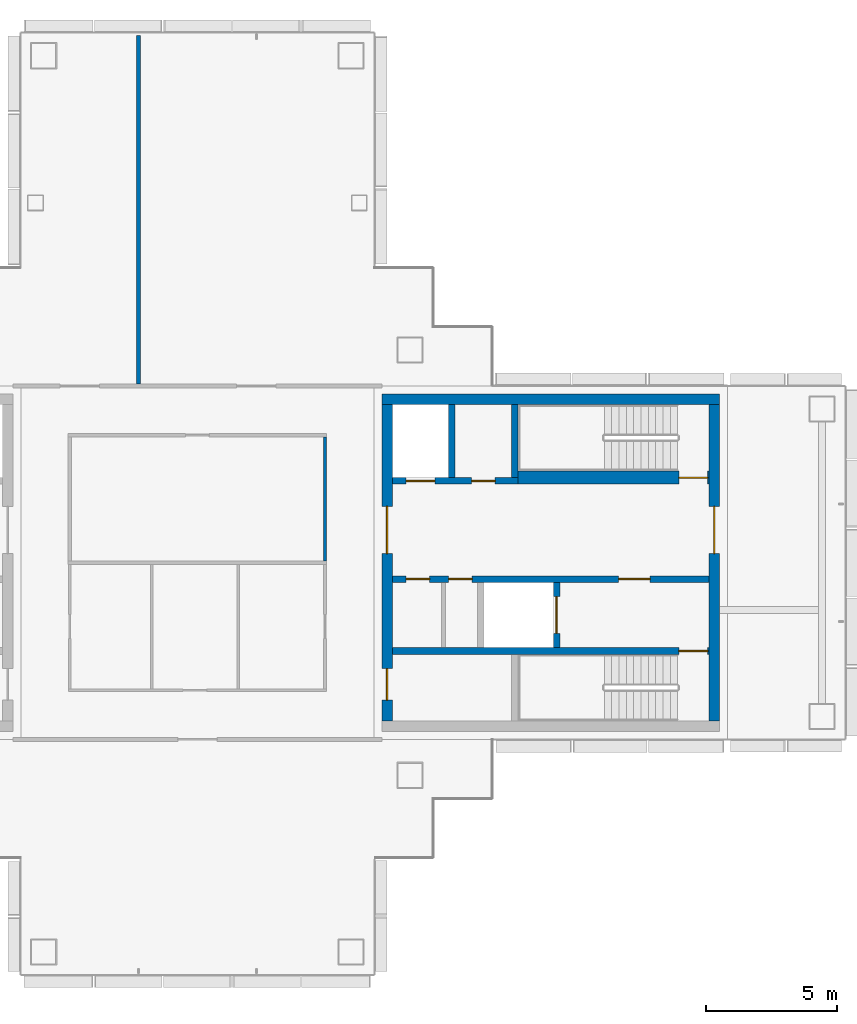
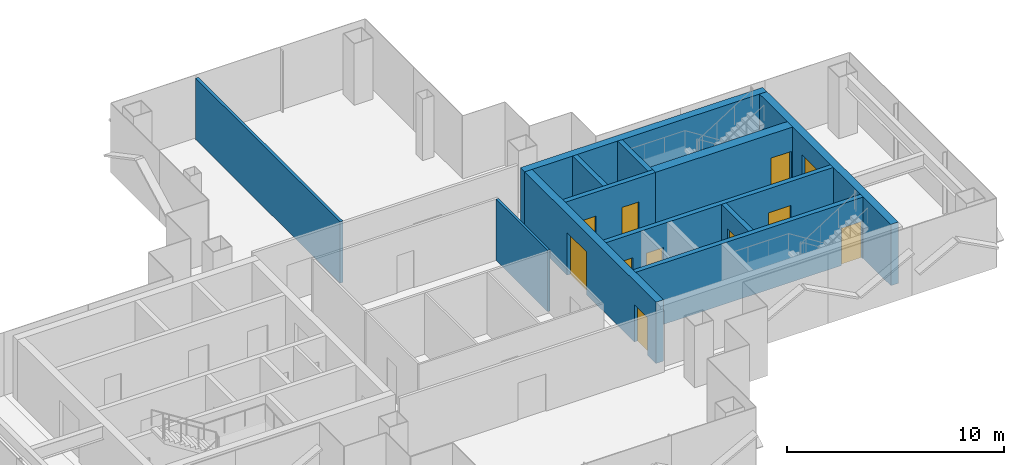
# One storey, part 12 of 17: 12 walls, 11 doors, 11 openings.
"""IFC4 building model written with IfcOpenShell, lengths in metres."""

from ifc_helpers import new_model, si_unit, direction, frame, frame_2d, origin, place, context, subcontext, project, spatial, rectangle, extrude, material, layer, layer_set, type_object, element, fill, save


model = new_model("IFC4")

# Units and contexts
model_context = context("Model", 3, precision=1e-05, world=origin(), true_north=direction((0.0, 1.0)))
body_context = subcontext(model_context, "Body", "Model", "MODEL_VIEW")
ifc_project = project(units=[si_unit("LENGTHUNIT", "METRE"), si_unit("AREAUNIT", "SQUARE_METRE"), si_unit("VOLUMEUNIT", "CUBIC_METRE"), si_unit("PLANEANGLEUNIT", "RADIAN"), si_unit("MASSUNIT", "GRAM", prefix="KILO")], contexts=[model_context])

# Site, building, storey
site_placement = place(None, origin())
site = spatial("IfcSite", under=ifc_project, at=site_placement, CompositionType="ELEMENT")
building_placement = place(site_placement, origin())
building = spatial("IfcBuilding", under=site, at=building_placement, Name="Shamsa Quay Exchange Towers", CompositionType="ELEMENT")
storey_placement = place(building_placement, frame((0.0, 0.0, 221.699951171875)))
storey = spatial("IfcBuildingStorey", under=building, at=storey_placement, Name="L53", CompositionType="ELEMENT", Elevation=221.699951171875)

# Wall
ifc_material_1 = material(Name="Concrete C60/75", Category="concrete")
ifc_layer_1 = layer(ifc_material_1, 0.39990234375)
ifc_layer_set_1 = layer_set([ifc_layer_1], Name="CORE WALL 400 C60/75")
wall_type_1 = type_object("IfcWallType", Name="CORE WALL 400 C60/75", PredefinedType="SHEAR", material=ifc_layer_set_1)
wall_1_placement = place(storey_placement, frame((53.699951171875, 6.25, 0.0), z_axis=(0.0, 0.0, 1.0), x_axis=(-1.0, 0.0, 0.0)))
element("IfcWall", 1, at=wall_1_placement, inside=storey, type_object=wall_type_1, Name="Core wall T2B-R24-PN", PredefinedType="SHEAR", context=body_context, shape_type="SweptSolid", body=[
    extrude(rectangle(XDim=12.89990234375, YDim=0.39990234375, at=frame_2d((6.449951171875, 0.0))), origin(), (0.0, 0.0, 1.0), 3.449951171875),
])

# Wall, opening, door
wall_2_placement = place(storey_placement, frame((53.5, -6.050048828125, 0.0), z_axis=(0.0, 0.0, 1.0), x_axis=(0.0, 1.0, 0.0)))
wall_2 = element("IfcWall", 2, at=wall_2_placement, inside=storey, type_object=wall_type_1, Name="Core wall T2B-R24-PF", PredefinedType="SHEAR", context=body_context, shape_type="SweptSolid", body=[
    extrude(rectangle(XDim=12.10009765625, YDim=0.39990234375, at=frame_2d((6.050048828125, 0.0))), origin(), (0.0, 0.0, 1.0), 3.449951171875),
])
opening_1_placement = place(wall_2_placement, frame((6.39990234375, 0.0, 0.0)))
opening_1 = element("IfcOpeningElement", 3, at=opening_1_placement, cuts=wall_2, Name="Opening T2B-R24-LBD01", PredefinedType="OPENING", context=body_context, shape_type="SweptSolid", body=[
    extrude(rectangle(XDim=1.800048828125, YDim=2.39990234375, at=frame_2d((0.89990234375, 1.199951171875))), frame((0.0, 0.2099609375, 0.0), z_axis=(0.0, -1.0, 0.0), x_axis=(1.0, 0.0, 0.0)), (0.0, 0.0, 1.0), 0.419921875),
])
ifc_material_2 = material(Name="Steel, fire rated", Category="steel")
door_type_1 = type_object("IfcDoorType", Name="LIFT LOBBY DOOR PAIR 1800", OperationType="DOUBLE_DOOR_SINGLE_SWING", PredefinedType="DOOR", material=ifc_material_2)
door_1_placement = place(opening_1_placement, origin())
door_1 = element("IfcDoor", 4, at=door_1_placement, inside=storey, type_object=door_type_1, Name="T2B-R24-LBD01", OperationType="DOUBLE_DOOR_SINGLE_SWING", OverallHeight=2.39990234375, OverallWidth=1.800048828125, PredefinedType="DOOR", context=body_context, shape_type="SweptSolid", body=[
    extrude(rectangle(XDim=1.800048828125, YDim=2.39990234375, at=frame_2d((0.89990234375, 1.199951171875))), frame((0.0, 0.02490234375, 0.0), z_axis=(0.0, -1.0, 0.0), x_axis=(1.0, 0.0, 0.0)), (0.0, 0.0, 1.0), 0.050048828125),
])
fill(opening_1, door_1)

# Wall, openings, doors
wall_3_placement = place(storey_placement, frame((41.0, -6.050048828125, 0.0), z_axis=(0.0, 0.0, 1.0), x_axis=(0.0, 1.0, 0.0)))
wall_3 = element("IfcWall", 5, at=wall_3_placement, inside=storey, type_object=wall_type_1, Name="Core wall T2B-R24-PB", PredefinedType="SHEAR", context=body_context, shape_type="SweptSolid", body=[
    extrude(rectangle(XDim=12.10009765625, YDim=0.39990234375, at=frame_2d((6.050048828125, 0.0))), origin(), (0.0, 0.0, 1.0), 3.449951171875),
])
opening_2_placement = place(wall_3_placement, frame((0.800048828125, 0.0, 0.0)))
opening_2 = element("IfcOpeningElement", 6, at=opening_2_placement, cuts=wall_3, Name="Opening T2B-R24-RD02", PredefinedType="OPENING", context=body_context, shape_type="SweptSolid", body=[
    extrude(rectangle(XDim=1.199951171875, YDim=2.10009765625, at=frame_2d((0.60009765625, 1.050048828125))), frame((0.0, 0.2099609375, 0.0), z_axis=(0.0, -1.0, 0.0), x_axis=(1.0, 0.0, 0.0)), (0.0, 0.0, 1.0), 0.419921875),
])
opening_3_placement = place(wall_3_placement, frame((6.39990234375, 0.0, 0.0)))
opening_3 = element("IfcOpeningElement", 7, at=opening_3_placement, cuts=wall_3, Name="Opening T2B-R24-LBD03", PredefinedType="OPENING", context=body_context, shape_type="SweptSolid", body=[
    extrude(rectangle(XDim=1.800048828125, YDim=2.39990234375, at=frame_2d((0.89990234375, 1.199951171875))), frame((0.0, 0.2099609375, 0.0), z_axis=(0.0, -1.0, 0.0), x_axis=(1.0, 0.0, 0.0)), (0.0, 0.0, 1.0), 0.419921875),
])
door_2_placement = place(opening_3_placement, origin())
door_2 = element("IfcDoor", 8, at=door_2_placement, inside=storey, type_object=door_type_1, Name="T2B-R24-LBD03", OperationType="DOUBLE_DOOR_SINGLE_SWING", OverallHeight=2.39990234375, OverallWidth=1.800048828125, PredefinedType="DOOR", context=body_context, shape_type="SweptSolid", body=[
    extrude(rectangle(XDim=1.800048828125, YDim=2.39990234375, at=frame_2d((0.89990234375, 1.199951171875))), frame((0.0, 0.02490234375, 0.0), z_axis=(0.0, -1.0, 0.0), x_axis=(1.0, 0.0, 0.0)), (0.0, 0.0, 1.0), 0.050048828125),
])
fill(opening_3, door_2)
door_type_2 = type_object("IfcDoorType", Name="RISER ACCESS DOOR 1200", OperationType="SINGLE_SWING_LEFT", PredefinedType="DOOR", material=ifc_material_2)
door_3_placement = place(opening_2_placement, origin())
door_3 = element("IfcDoor", 9, at=door_3_placement, inside=storey, type_object=door_type_2, Name="T2B-R24-RD02", OperationType="SINGLE_SWING_LEFT", OverallHeight=2.10009765625, OverallWidth=1.199951171875, PredefinedType="DOOR", context=body_context, shape_type="SweptSolid", body=[
    extrude(rectangle(XDim=1.199951171875, YDim=2.10009765625, at=frame_2d((0.60009765625, 1.050048828125))), frame((0.0, 0.02490234375, 0.0), z_axis=(0.0, -1.0, 0.0), x_axis=(1.0, 0.0, 0.0)), (0.0, 0.0, 1.0), 0.050048828125),
])
fill(opening_2, door_3)

# Walls
ifc_material_3 = material(Name="Laminated fire-resisting glass in a metal frame", Category="glass")
ifc_layer_2 = layer(ifc_material_3, 0.125)
ifc_layer_set_2 = layer_set([ifc_layer_2], Name="Glazed partition 125 mm EI 60")
wall_type_2 = type_object("IfcWallType", Name="Glazed partition 125 mm EI 60", PredefinedType="PARTITIONING", material=ifc_layer_set_2)
wall_4_placement = place(storey_placement, frame((38.625, 0.0625, 0.0), z_axis=(0.0, 0.0, 1.0), x_axis=(0.0, 1.0, 0.0)))
element("IfcWall", 10, at=wall_4_placement, inside=storey, type_object=wall_type_2, Name="Partition T2-R24-W04", PredefinedType="PARTITIONING", context=body_context, shape_type="SweptSolid", body=[
    extrude(rectangle(XDim=4.75, YDim=0.125, at=frame_2d((2.375, 0.0))), origin(), (0.0, 0.0, 1.0), 3.449951171875),
])
ifc_material_4 = material(Name="Gypsum board partition on metal studs")
ifc_layer_3 = layer(ifc_material_4, 0.14990234375)
ifc_layer_set_3 = layer_set([ifc_layer_3], Name="Partition 150 mm EI 60")
wall_type_3 = type_object("IfcWallType", Name="Partition 150 mm EI 60", PredefinedType="PARTITIONING", material=ifc_layer_set_3)
wall_5_placement = place(storey_placement, frame((31.5, 20.155029296875, 0.0), z_axis=(0.0, 0.0, 1.0), x_axis=(0.0, -1.0, 0.0)))
element("IfcWall", 11, at=wall_5_placement, inside=storey, type_object=wall_type_3, Name="Partition T2-R24-W12", PredefinedType="PARTITIONING", context=body_context, shape_type="SweptSolid", body=[
    extrude(rectangle(XDim=13.330078125, YDim=0.14990234375, at=frame_2d((6.6650390625, 0.0))), origin(), (0.0, 0.0, 1.0), 3.449951171875),
])

# Wall, opening, door
ifc_material_5 = material(Name="Concrete C50/60", Category="concrete")
ifc_layer_4 = layer(ifc_material_5, 0.25)
ifc_layer_set_4 = layer_set([ifc_layer_4], Name="SHAFT WALL 250 C50/60")
wall_type_4 = type_object("IfcWallType", Name="SHAFT WALL 250 C50/60", PredefinedType="SHEAR", material=ifc_layer_set_4)
wall_6_placement = place(storey_placement, frame((53.300048828125, -3.375, 0.0), z_axis=(0.0, 0.0, 1.0), x_axis=(-1.0, 0.0, 0.0)))
wall_6 = element("IfcWall", 12, at=wall_6_placement, inside=storey, type_object=wall_type_4, Name="Shaft wall T2B-R24-STL", PredefinedType="SHEAR", context=body_context, shape_type="SweptSolid", body=[
    extrude(rectangle(XDim=12.10009765625, YDim=0.25, at=frame_2d((6.050048828125, 0.0))), origin(), (0.0, 0.0, 1.0), 3.449951171875),
])
opening_4_placement = place(wall_6_placement, frame((0.050048828125, 0.0, 0.0)))
opening_4 = element("IfcOpeningElement", 13, at=opening_4_placement, cuts=wall_6, Name="Opening T2B-R24-SD04", PredefinedType="OPENING", context=body_context, shape_type="SweptSolid", body=[
    extrude(rectangle(XDim=1.10009765625, YDim=2.10009765625, at=frame_2d((0.550048828125, 1.050048828125))), frame((0.0, 0.135009765625, 0.0), z_axis=(0.0, -1.0, 0.0), x_axis=(1.0, 0.0, 0.0)), (0.0, 0.0, 1.0), 0.27001953125),
])
door_type_3 = type_object("IfcDoorType", Name="STAIR DOOR 1100", OperationType="SINGLE_SWING_LEFT", PredefinedType="DOOR", material=ifc_material_2)
door_4_placement = place(opening_4_placement, origin())
door_4 = element("IfcDoor", 14, at=door_4_placement, inside=storey, type_object=door_type_3, Name="T2B-R24-SD04", OperationType="SINGLE_SWING_LEFT", OverallHeight=2.10009765625, OverallWidth=1.10009765625, PredefinedType="DOOR", context=body_context, shape_type="SweptSolid", body=[
    extrude(rectangle(XDim=1.10009765625, YDim=2.10009765625, at=frame_2d((0.550048828125, 1.050048828125))), frame((0.0, 0.02490234375, 0.0), z_axis=(0.0, -1.0, 0.0), x_axis=(1.0, 0.0, 0.0)), (0.0, 0.0, 1.0), 0.050048828125),
])
fill(opening_4, door_4)

# Wall, openings, doors
wall_7_placement = place(storey_placement, frame((53.300048828125, -0.625, 0.0), z_axis=(0.0, 0.0, 1.0), x_axis=(-1.0, 0.0, 0.0)))
wall_7 = element("IfcWall", 15, at=wall_7_placement, inside=storey, type_object=wall_type_4, Name="Shaft wall T2B-R24-B", PredefinedType="SHEAR", context=body_context, shape_type="SweptSolid", body=[
    extrude(rectangle(XDim=12.10009765625, YDim=0.25, at=frame_2d((6.050048828125, 0.0))), origin(), (0.0, 0.0, 1.0), 3.449951171875),
])
opening_5_placement = place(wall_7_placement, frame((2.25, 0.0, 0.0)))
opening_5 = element("IfcOpeningElement", 16, at=opening_5_placement, cuts=wall_7, Name="Opening T2B-R24-FD05", PredefinedType="OPENING", context=body_context, shape_type="SweptSolid", body=[
    extrude(rectangle(XDim=1.199951171875, YDim=2.10009765625, at=frame_2d((0.60009765625, 1.050048828125))), frame((0.0, 0.135009765625, 0.0), z_axis=(0.0, -1.0, 0.0), x_axis=(1.0, 0.0, 0.0)), (0.0, 0.0, 1.0), 0.27001953125),
])
opening_6_placement = place(wall_7_placement, frame((9.050048828125, 0.0, 0.0)))
opening_6 = element("IfcOpeningElement", 17, at=opening_6_placement, cuts=wall_7, Name="Opening T2B-R24-SV06", PredefinedType="OPENING", context=body_context, shape_type="SweptSolid", body=[
    extrude(rectangle(XDim=0.89990234375, YDim=2.10009765625, at=frame_2d((0.449951171875, 1.050048828125))), frame((0.0, 0.135009765625, 0.0), z_axis=(0.0, -1.0, 0.0), x_axis=(1.0, 0.0, 0.0)), (0.0, 0.0, 1.0), 0.27001953125),
])
opening_7_placement = place(wall_7_placement, frame((10.675048828125, 0.0, 0.0)))
opening_7 = element("IfcOpeningElement", 18, at=opening_7_placement, cuts=wall_7, Name="Opening T2B-R24-SV07", PredefinedType="OPENING", context=body_context, shape_type="SweptSolid", body=[
    extrude(rectangle(XDim=0.89990234375, YDim=2.10009765625, at=frame_2d((0.449951171875, 1.050048828125))), frame((0.0, 0.135009765625, 0.0), z_axis=(0.0, -1.0, 0.0), x_axis=(1.0, 0.0, 0.0)), (0.0, 0.0, 1.0), 0.27001953125),
])
door_type_4 = type_object("IfcDoorType", Name="FIRE SERVICE LOBBY DOOR 1200", OperationType="SINGLE_SWING_LEFT", PredefinedType="DOOR", material=ifc_material_2)
door_5_placement = place(opening_5_placement, origin())
door_5 = element("IfcDoor", 19, at=door_5_placement, inside=storey, type_object=door_type_4, Name="T2B-R24-FD05", OperationType="SINGLE_SWING_LEFT", OverallHeight=2.10009765625, OverallWidth=1.199951171875, PredefinedType="DOOR", context=body_context, shape_type="SweptSolid", body=[
    extrude(rectangle(XDim=1.199951171875, YDim=2.10009765625, at=frame_2d((0.60009765625, 1.050048828125))), frame((0.0, 0.02490234375, 0.0), z_axis=(0.0, -1.0, 0.0), x_axis=(1.0, 0.0, 0.0)), (0.0, 0.0, 1.0), 0.050048828125),
])
fill(opening_5, door_5)
door_type_5 = type_object("IfcDoorType", Name="SERVICE ROOM DOOR 900", OperationType="SINGLE_SWING_LEFT", PredefinedType="DOOR", material=ifc_material_2)
door_6_placement = place(opening_6_placement, origin())
door_6 = element("IfcDoor", 20, at=door_6_placement, inside=storey, type_object=door_type_5, Name="T2B-R24-SV06", OperationType="SINGLE_SWING_RIGHT", OverallHeight=2.10009765625, OverallWidth=0.89990234375, PredefinedType="DOOR", context=body_context, shape_type="SweptSolid", body=[
    extrude(rectangle(XDim=0.89990234375, YDim=2.10009765625, at=frame_2d((0.449951171875, 1.050048828125))), frame((0.0, 0.02490234375, 0.0), z_axis=(0.0, -1.0, 0.0), x_axis=(1.0, 0.0, 0.0)), (0.0, 0.0, 1.0), 0.050048828125),
])
fill(opening_6, door_6)
door_7_placement = place(opening_7_placement, origin())
door_7 = element("IfcDoor", 21, at=door_7_placement, inside=storey, type_object=door_type_5, Name="T2B-R24-SV07", OperationType="SINGLE_SWING_RIGHT", OverallHeight=2.10009765625, OverallWidth=0.89990234375, PredefinedType="DOOR", context=body_context, shape_type="SweptSolid", body=[
    extrude(rectangle(XDim=0.89990234375, YDim=2.10009765625, at=frame_2d((0.449951171875, 1.050048828125))), frame((0.0, 0.02490234375, 0.0), z_axis=(0.0, -1.0, 0.0), x_axis=(1.0, 0.0, 0.0)), (0.0, 0.0, 1.0), 0.050048828125),
])
fill(opening_7, door_7)

# Wall, opening, door
wall_8_placement = place(storey_placement, frame((47.47509765625, -3.25, 0.0), z_axis=(0.0, 0.0, 1.0), x_axis=(0.0, 1.0, 0.0)))
wall_8 = element("IfcWall", 22, at=wall_8_placement, inside=storey, type_object=wall_type_4, Name="Shaft wall T2B-R24-FFF", PredefinedType="SHEAR", context=body_context, shape_type="SweptSolid", body=[
    extrude(rectangle(XDim=2.5, YDim=0.25, at=frame_2d((1.25, 0.0))), origin(), (0.0, 0.0, 1.0), 3.449951171875),
])
opening_8_placement = place(wall_8_placement, frame((0.550048828125, 0.0, 0.0)))
opening_8 = element("IfcOpeningElement", 23, at=opening_8_placement, cuts=wall_8, Name="Opening T2B-R24-LDG08", PredefinedType="OPENING", context=body_context, shape_type="SweptSolid", body=[
    extrude(rectangle(XDim=1.39990234375, YDim=2.39990234375, at=frame_2d((0.699951171875, 1.199951171875))), frame((0.0, 0.135009765625, 0.0), z_axis=(0.0, -1.0, 0.0), x_axis=(1.0, 0.0, 0.0)), (0.0, 0.0, 1.0), 0.27001953125),
])
door_type_6 = type_object("IfcDoorType", Name="GOODS LIFT LANDING DOOR 1400", OperationType="SLIDING_TO_LEFT", PredefinedType="DOOR", material=ifc_material_2)
door_8_placement = place(opening_8_placement, origin())
door_8 = element("IfcDoor", 24, at=door_8_placement, inside=storey, type_object=door_type_6, Name="T2B-R24-LDG08", OperationType="SLIDING_TO_LEFT", OverallHeight=2.39990234375, OverallWidth=1.39990234375, PredefinedType="DOOR", context=body_context, shape_type="SweptSolid", body=[
    extrude(rectangle(XDim=1.39990234375, YDim=2.39990234375, at=frame_2d((0.699951171875, 1.199951171875))), frame((0.0, 0.02490234375, 0.0), z_axis=(0.0, -1.0, 0.0), x_axis=(1.0, 0.0, 0.0)), (0.0, 0.0, 1.0), 0.050048828125),
])
fill(opening_8, door_8)

# Wall, openings, doors
wall_9_placement = place(storey_placement, frame((41.199951171875, 3.125, 0.0)))
wall_9 = element("IfcWall", 25, at=wall_9_placement, inside=storey, type_object=wall_type_4, Name="Shaft wall T2B-R24-N2", PredefinedType="SHEAR", context=body_context, shape_type="SweptSolid", body=[
    extrude(rectangle(XDim=4.800048828125, YDim=0.25, at=frame_2d((2.39990234375, 0.0))), origin(), (0.0, 0.0, 1.0), 3.449951171875),
])
opening_9_placement = place(wall_9_placement, frame((0.52490234375, 0.0, 0.0)))
opening_9 = element("IfcOpeningElement", 26, at=opening_9_placement, cuts=wall_9, Name="Opening T2B-R24-LD10", PredefinedType="OPENING", context=body_context, shape_type="SweptSolid", body=[
    extrude(rectangle(XDim=1.10009765625, YDim=2.10009765625, at=frame_2d((0.550048828125, 1.050048828125))), frame((0.0, 0.135009765625, 0.0), z_axis=(0.0, -1.0, 0.0), x_axis=(1.0, 0.0, 0.0)), (0.0, 0.0, 1.0), 0.27001953125),
])
opening_10_placement = place(wall_9_placement, frame((3.02490234375, 0.0, 0.0)))
opening_10 = element("IfcOpeningElement", 27, at=opening_10_placement, cuts=wall_9, Name="Opening T2B-R24-SV11", PredefinedType="OPENING", context=body_context, shape_type="SweptSolid", body=[
    extrude(rectangle(XDim=0.89990234375, YDim=2.10009765625, at=frame_2d((0.449951171875, 1.050048828125))), frame((0.0, 0.135009765625, 0.0), z_axis=(0.0, -1.0, 0.0), x_axis=(1.0, 0.0, 0.0)), (0.0, 0.0, 1.0), 0.27001953125),
])
door_type_7 = type_object("IfcDoorType", Name="LANDING DOOR 1100", OperationType="SLIDING_TO_LEFT", PredefinedType="DOOR", material=ifc_material_2)
door_9_placement = place(opening_9_placement, origin())
door_9 = element("IfcDoor", 28, at=door_9_placement, inside=storey, type_object=door_type_7, Name="T2B-R24-LD10", OperationType="SLIDING_TO_LEFT", OverallHeight=2.10009765625, OverallWidth=1.10009765625, PredefinedType="DOOR", context=body_context, shape_type="SweptSolid", body=[
    extrude(rectangle(XDim=1.10009765625, YDim=2.10009765625, at=frame_2d((0.550048828125, 1.050048828125))), frame((0.0, 0.02490234375, 0.0), z_axis=(0.0, -1.0, 0.0), x_axis=(1.0, 0.0, 0.0)), (0.0, 0.0, 1.0), 0.050048828125),
])
fill(opening_9, door_9)
door_10_placement = place(opening_10_placement, origin())
door_10 = element("IfcDoor", 29, at=door_10_placement, inside=storey, type_object=door_type_5, Name="T2B-R24-SV11", OperationType="SINGLE_SWING_RIGHT", OverallHeight=2.10009765625, OverallWidth=0.89990234375, PredefinedType="DOOR", context=body_context, shape_type="SweptSolid", body=[
    extrude(rectangle(XDim=0.89990234375, YDim=2.10009765625, at=frame_2d((0.449951171875, 1.050048828125))), frame((0.0, 0.02490234375, 0.0), z_axis=(0.0, -1.0, 0.0), x_axis=(1.0, 0.0, 0.0)), (0.0, 0.0, 1.0), 0.050048828125),
])
fill(opening_10, door_10)

# Walls
for number, where, z_axis, x_axis, name in (
    (30, (45.875, 3.25, 0.0), (0.0, 0.0, 1.0), (0.0, 1.0, 0.0), "Shaft wall T2B-R24-STF2"),
    (31, (43.47509765625, 3.25, 0.0), (0.0, 0.0, 1.0), (0.0, 1.0, 0.0), "Shaft wall T2B-R24-D0"),
):
    element("IfcWall", number, at=place(storey_placement, frame(where, z_axis=z_axis, x_axis=x_axis)), inside=storey, type_object=wall_type_4, Name=name, PredefinedType="SHEAR", context=body_context, shape_type="SweptSolid", body=[
        extrude(rectangle(XDim=2.800048828125, YDim=0.25, at=frame_2d((1.39990234375, 0.0))), origin(), (0.0, 0.0, 1.0), 3.449951171875),
    ])

# Wall, opening, door
ifc_layer_5 = layer(ifc_material_5, 0.5)
ifc_layer_set_5 = layer_set([ifc_layer_5], Name="SHAFT WALL 500 C50/60")
wall_type_5 = type_object("IfcWallType", Name="SHAFT WALL 500 C50/60", PredefinedType="SHEAR", material=ifc_layer_set_5)
wall_10_placement = place(storey_placement, frame((46.0, 3.25, 0.0)))
wall_10 = element("IfcWall", 32, at=wall_10_placement, inside=storey, type_object=wall_type_5, Name="Shaft wall T2B-R24-N", PredefinedType="SHEAR", context=body_context, shape_type="SweptSolid", body=[
    extrude(rectangle(XDim=7.300048828125, YDim=0.5, at=frame_2d((3.64990234375, 0.0))), origin(), (0.0, 0.0, 1.0), 3.449951171875),
])
opening_11_placement = place(wall_10_placement, frame((6.14990234375, 0.0, 0.0)))
opening_11 = element("IfcOpeningElement", 33, at=opening_11_placement, cuts=wall_10, Name="Opening T2B-R24-SD09", PredefinedType="OPENING", context=body_context, shape_type="SweptSolid", body=[
    extrude(rectangle(XDim=1.10009765625, YDim=2.10009765625, at=frame_2d((0.550048828125, 1.050048828125))), frame((0.0, 0.260009765625, 0.0), z_axis=(0.0, -1.0, 0.0), x_axis=(1.0, 0.0, 0.0)), (0.0, 0.0, 1.0), 0.52001953125),
])
door_11_placement = place(opening_11_placement, origin())
door_11 = element("IfcDoor", 34, at=door_11_placement, inside=storey, type_object=door_type_3, Name="T2B-R24-SD09", OperationType="SINGLE_SWING_RIGHT", OverallHeight=2.10009765625, OverallWidth=1.10009765625, PredefinedType="DOOR", context=body_context, shape_type="SweptSolid", body=[
    extrude(rectangle(XDim=1.10009765625, YDim=2.10009765625, at=frame_2d((0.550048828125, 1.050048828125))), frame((0.0, 0.02490234375, 0.0), z_axis=(0.0, -1.0, 0.0), x_axis=(1.0, 0.0, 0.0)), (0.0, 0.0, 1.0), 0.050048828125),
])
fill(opening_11, door_11)

save(model, "model.ifc")
